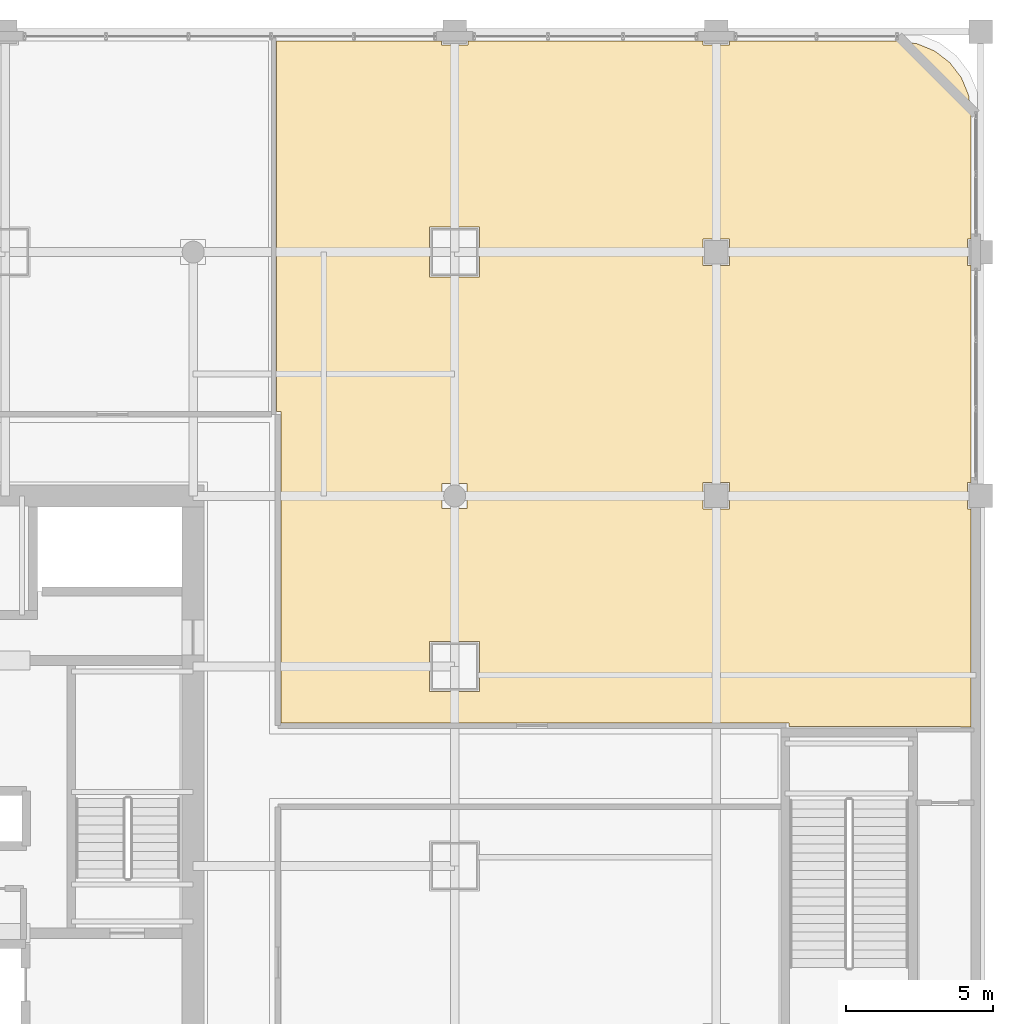
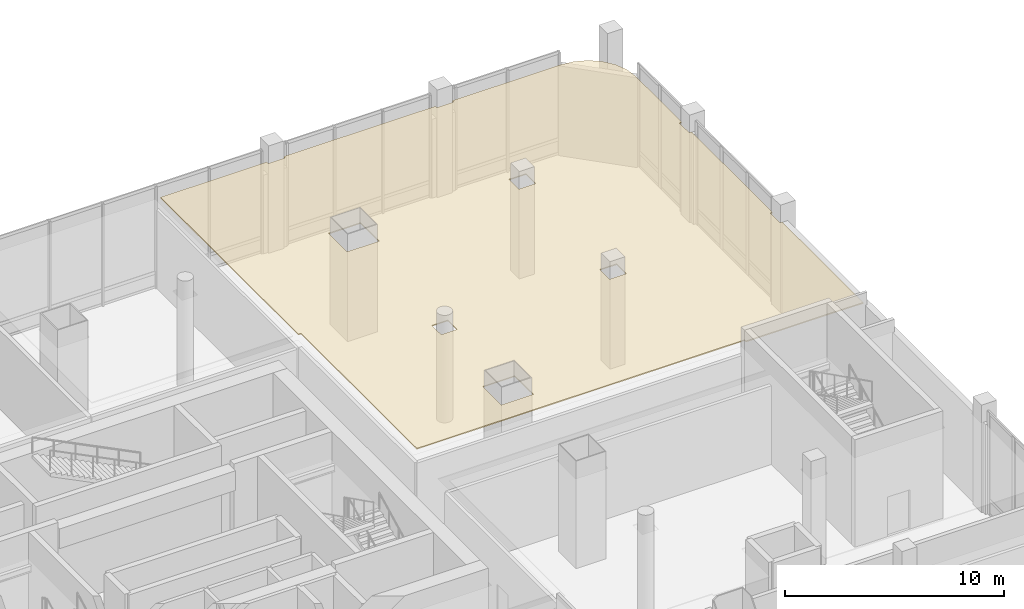
# One storey, part 37 of 38: 1 covering.
"""IFC4 building model written with IfcOpenShell, lengths in metres."""

from ifc_helpers import new_model, si_unit, direction, frame, origin, place, context, subcontext, project, spatial, polyline, outline, extrude, material, layer, layer_set, type_object, element, save


model = new_model("IFC4")

# Units and contexts
model_context = context("Model", 3, precision=1e-05, world=origin(), true_north=direction((0.0, 1.0)))
body_context = subcontext(model_context, "Body", "Model", "MODEL_VIEW")
ifc_project = project(units=[si_unit("LENGTHUNIT", "METRE"), si_unit("AREAUNIT", "SQUARE_METRE"), si_unit("VOLUMEUNIT", "CUBIC_METRE"), si_unit("PLANEANGLEUNIT", "RADIAN"), si_unit("MASSUNIT", "GRAM", prefix="KILO")], contexts=[model_context])

# Site, building, storey
site_placement = place(None, origin())
site = spatial("IfcSite", under=ifc_project, at=site_placement, CompositionType="ELEMENT")
building_placement = place(site_placement, origin())
building = spatial("IfcBuilding", under=site, at=building_placement, Name="Punatoya Terracotta Tower", CompositionType="ELEMENT")
storey_placement = place(building_placement, frame((0.0, 0.0, 22.199951171875)))
storey = spatial("IfcBuildingStorey", under=building, at=storey_placement, Name="L04", CompositionType="ELEMENT", Elevation=22.199951171875)

# Covering
ifc_material = material(Name="Acoustic Mineral Fibre Ceiling")
ifc_layer = layer(ifc_material, 0.06005859375)
ifc_layer_set = layer_set([ifc_layer], Name="Acoustic Mineral Fibre Ceiling")
covering_type = type_object("IfcCoveringType", Name="COV-CEIL-60", PredefinedType="CEILING", material=ifc_layer_set)
covering_placement = place(storey_placement, frame((0.0, 0.0, 5.010009765625)))
element("IfcCovering", 1, at=covering_placement, inside=storey, type_object=covering_type, Name="L04 North-East Staff Wellness and First-Aid Suite Acoustic Ceiling", PredefinedType="CEILING", context=body_context, shape_type="SweptSolid", body=[
    extrude(outline(polyline([(30.47998046875, 1.360107421875), (34.909912109375, 1.360107421875), (36.679931640625, 1.340087890625), (36.679931640625, 8.75), (36.550048828125, 8.75), (36.550048828125, 9.64990234375), (36.679931640625, 9.64990234375), (36.679931640625, 17.050048828125), (36.550048828125, 17.050048828125), (36.550048828125, 17.949951171875), (36.679931640625, 17.949951171875), (36.679931640625, 22.178955078125), (36.5927734375, 22.84130859375), (36.345458984375, 23.438720703125), (35.95166015625, 23.95166015625), (35.438720703125, 24.345458984375), (34.84130859375, 24.5927734375), (34.178955078125, 24.679931640625), (28.449951171875, 24.679931640625), (28.449951171875, 24.550048828125), (27.550048828125, 24.550048828125), (27.550048828125, 24.679931640625), (19.550048828125, 24.679931640625), (19.550048828125, 24.550048828125), (18.64990234375, 24.550048828125), (18.64990234375, 24.679931640625), (13.0400390625, 24.679931640625), (13.0400390625, 12.080078125), (13.179931640625, 12.080078125), (13.179931640625, 1.47998046875), (30.47998046875, 1.47998046875), (30.47998046875, 1.360107421875)]), holes=[polyline([(27.550048828125, 17.050048828125), (27.550048828125, 17.949951171875), (28.449951171875, 17.949951171875), (28.449951171875, 17.050048828125), (27.550048828125, 17.050048828125)]), polyline([(28.449951171875, 8.75), (27.550048828125, 8.75), (27.550048828125, 9.64990234375), (28.449951171875, 9.64990234375), (28.449951171875, 8.75)]), polyline([(18.25, 16.64990234375), (18.25, 18.35009765625), (19.949951171875, 18.35009765625), (19.949951171875, 16.64990234375), (18.25, 16.64990234375)]), polyline([(19.949951171875, 2.550048828125), (18.25, 2.550048828125), (18.25, 4.25), (19.949951171875, 4.25), (19.949951171875, 2.550048828125)]), polyline([(19.52490234375, 8.77490234375), (18.675048828125, 8.77490234375), (18.675048828125, 9.625), (19.52490234375, 9.625), (19.52490234375, 8.77490234375)])]), origin(), (0.0, 0.0, 1.0), 0.06005859375),
])

save(model, "model.ifc")
